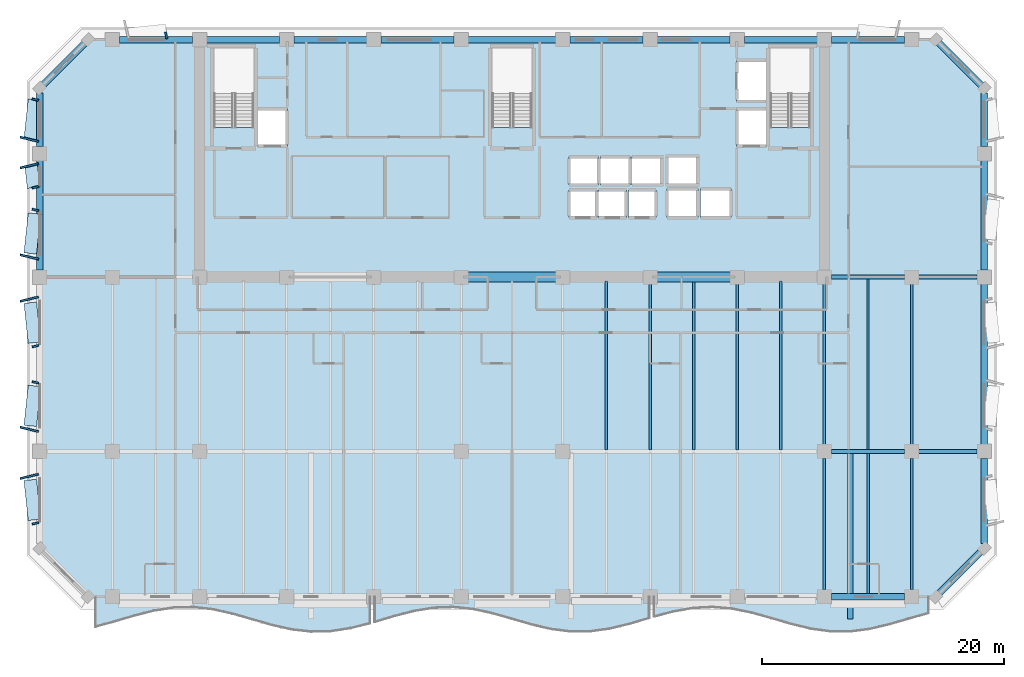
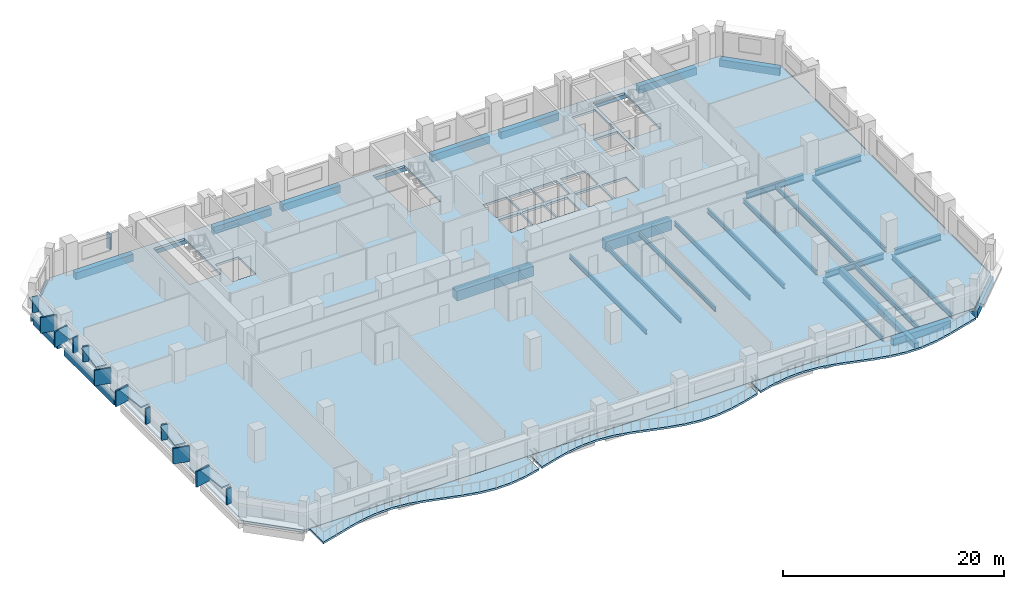
# One storey, part 2 of 14: 37 beams, 19 plates, 4 slabs.
"""IFC4 building model written with IfcOpenShell, lengths in metres."""

from ifc_helpers import new_model, si_unit, direction, frame, origin, origin_2d, place, context, subcontext, project, spatial, polyline, rectangle, i_section, outline, extrude, material, layer, layer_set, material_profile, profile_set, type_object, element, save


model = new_model("IFC4")

# Units and contexts
model_context = context("Model", 3, precision=1e-05, world=origin(), true_north=direction((0.0, 1.0)))
body_context = subcontext(model_context, "Body", "Model", "MODEL_VIEW")
ifc_project = project(units=[si_unit("LENGTHUNIT", "METRE"), si_unit("AREAUNIT", "SQUARE_METRE"), si_unit("VOLUMEUNIT", "CUBIC_METRE"), si_unit("PLANEANGLEUNIT", "RADIAN"), si_unit("MASSUNIT", "GRAM", prefix="KILO")], contexts=[model_context])

# Site, building, storey
site_placement = place(None, origin())
site = spatial("IfcSite", under=ifc_project, at=site_placement, CompositionType="ELEMENT")
building_placement = place(site_placement, origin())
building = spatial("IfcBuilding", under=site, at=building_placement, Name="Kaelvorn Grand Hotel", CompositionType="ELEMENT")
storey_placement = place(building_placement, frame((0.0, 0.0, 216.75)))
storey = spatial("IfcBuildingStorey", under=building, at=storey_placement, Name="L53", CompositionType="ELEMENT", Elevation=216.75)

# Beams
ifc_material_1 = material(Name="Steel S355", Category="steel")
ifc_material_profile_1 = material_profile(ifc_material_1, i_section(OverallWidth=0.300048828125, OverallDepth=0.64990234375, WebThickness=0.01611328125, FlangeThickness=0.031005859375, FilletRadius=0.027099609375, at=origin_2d()), Name="HEB 650")
ifc_profile_set_1 = profile_set([ifc_material_profile_1], Name="Steel S355")
beam_type_1 = type_object("IfcBeamType", Name="BM-G-HEB650-S355", PredefinedType="BEAM", material=ifc_profile_set_1)
beam_1_placement = place(storey_placement, frame((68.385009765625, 15.0, -0.56494140625), z_axis=(1.0, 0.0, 0.0), x_axis=(0.0, 1.0, 0.0)))
element("IfcBeam", 1, at=beam_1_placement, inside=storey, type_object=beam_type_1, Name="L53 Primary Spine Steel Girder G-15 06", PredefinedType="BEAM", context=body_context, shape_type="SweptSolid", body=[
    extrude(i_section(OverallWidth=0.300048828125, OverallDepth=0.64990234375, WebThickness=0.01611328125, FlangeThickness=0.031005859375, FilletRadius=0.027099609375, at=origin_2d()), origin(), (0.0, 0.0, 1.0), 6.030029296875),
])
beam_2_placement = place(storey_placement, frame((75.5849609375, 15.0, -0.56494140625), z_axis=(1.0, 0.0, 0.0), x_axis=(0.0, 1.0, 0.0)))
element("IfcBeam", 2, at=beam_2_placement, inside=storey, type_object=beam_type_1, Name="L53 Primary Spine Steel Girder G-15 07", PredefinedType="BEAM", context=body_context, shape_type="SweptSolid", body=[
    extrude(i_section(OverallWidth=0.300048828125, OverallDepth=0.64990234375, WebThickness=0.01611328125, FlangeThickness=0.031005859375, FilletRadius=0.027099609375, at=origin_2d()), origin(), (0.0, 0.0, 1.0), 4.830078125),
])
beam_3_placement = place(storey_placement, frame((68.385009765625, 29.39990234375, -0.56494140625), z_axis=(1.0, 0.0, 0.0), x_axis=(0.0, 1.0, 0.0)))
element("IfcBeam", 3, at=beam_3_placement, inside=storey, type_object=beam_type_1, Name="L53 East Core Wing Steel Girder G-29E 01", PredefinedType="BEAM", context=body_context, shape_type="SweptSolid", body=[
    extrude(i_section(OverallWidth=0.300048828125, OverallDepth=0.64990234375, WebThickness=0.01611328125, FlangeThickness=0.031005859375, FilletRadius=0.027099609375, at=origin_2d()), origin(), (0.0, 0.0, 1.0), 6.030029296875),
])
beam_4_placement = place(storey_placement, frame((75.5849609375, 29.39990234375, -0.56494140625), z_axis=(1.0, 0.0, 0.0), x_axis=(0.0, 1.0, 0.0)))
element("IfcBeam", 4, at=beam_4_placement, inside=storey, type_object=beam_type_1, Name="L53 East Core Wing Steel Girder G-29E 02", PredefinedType="BEAM", context=body_context, shape_type="SweptSolid", body=[
    extrude(i_section(OverallWidth=0.300048828125, OverallDepth=0.64990234375, WebThickness=0.01611328125, FlangeThickness=0.031005859375, FilletRadius=0.027099609375, at=origin_2d()), origin(), (0.0, 0.0, 1.0), 4.830078125),
])
ifc_material_profile_2 = material_profile(ifc_material_1, i_section(OverallWidth=0.199951171875, OverallDepth=0.5, WebThickness=0.01025390625, FlangeThickness=0.01611328125, FilletRadius=0.02099609375, at=origin_2d()), Name="IPE 500")
ifc_profile_set_2 = profile_set([ifc_material_profile_2], Name="Steel S355")
beam_type_2 = type_object("IfcBeamType", Name="BM-J-IPE500-S355", PredefinedType="JOIST", material=ifc_profile_set_2)
beam_5_placement = place(storey_placement, frame((49.800048828125, 15.135009765625, -0.489990234375), z_axis=(0.0, 1.0, 0.0), x_axis=(-1.0, 0.0, 0.0)))
element("IfcBeam", 5, at=beam_5_placement, inside=storey, type_object=beam_type_2, Name="L53 Composite Floor Joist JM-14", PredefinedType="JOIST", context=body_context, shape_type="SweptSolid", body=[
    extrude(i_section(OverallWidth=0.199951171875, OverallDepth=0.5, WebThickness=0.01025390625, FlangeThickness=0.01611328125, FilletRadius=0.02099609375, at=origin_2d()), origin(), (0.0, 0.0, 1.0), 13.925048828125),
])
beam_6_placement = place(storey_placement, frame((53.39990234375, 15.135009765625, -0.489990234375), z_axis=(0.0, 1.0, 0.0), x_axis=(-1.0, 0.0, 0.0)))
element("IfcBeam", 6, at=beam_6_placement, inside=storey, type_object=beam_type_2, Name="L53 Composite Floor Joist JM-15", PredefinedType="JOIST", context=body_context, shape_type="SweptSolid", body=[
    extrude(i_section(OverallWidth=0.199951171875, OverallDepth=0.5, WebThickness=0.01025390625, FlangeThickness=0.01611328125, FilletRadius=0.02099609375, at=origin_2d()), origin(), (0.0, 0.0, 1.0), 13.679931640625),
])
beam_7_placement = place(storey_placement, frame((57.0, 15.135009765625, -0.489990234375), z_axis=(0.0, 1.0, 0.0), x_axis=(-1.0, 0.0, 0.0)))
element("IfcBeam", 7, at=beam_7_placement, inside=storey, type_object=beam_type_2, Name="L53 Composite Floor Joist JM-16", PredefinedType="JOIST", context=body_context, shape_type="SweptSolid", body=[
    extrude(i_section(OverallWidth=0.199951171875, OverallDepth=0.5, WebThickness=0.01025390625, FlangeThickness=0.01611328125, FilletRadius=0.02099609375, at=origin_2d()), origin(), (0.0, 0.0, 1.0), 13.925048828125),
])
beam_8_placement = place(storey_placement, frame((60.60009765625, 15.135009765625, -0.489990234375), z_axis=(0.0, 1.0, 0.0), x_axis=(-1.0, 0.0, 0.0)))
element("IfcBeam", 8, at=beam_8_placement, inside=storey, type_object=beam_type_2, Name="L53 Composite Floor Joist JM-17", PredefinedType="JOIST", context=body_context, shape_type="SweptSolid", body=[
    extrude(i_section(OverallWidth=0.199951171875, OverallDepth=0.5, WebThickness=0.01025390625, FlangeThickness=0.01611328125, FilletRadius=0.02099609375, at=origin_2d()), origin(), (0.0, 0.0, 1.0), 13.679931640625),
])
beam_9_placement = place(storey_placement, frame((64.199951171875, 15.135009765625, -0.489990234375), z_axis=(0.0, 1.0, 0.0), x_axis=(-1.0, 0.0, 0.0)))
element("IfcBeam", 9, at=beam_9_placement, inside=storey, type_object=beam_type_2, Name="L53 Composite Floor Joist JM-18", PredefinedType="JOIST", context=body_context, shape_type="SweptSolid", body=[
    extrude(i_section(OverallWidth=0.199951171875, OverallDepth=0.5, WebThickness=0.01025390625, FlangeThickness=0.01611328125, FilletRadius=0.02099609375, at=origin_2d()), origin(), (0.0, 0.0, 1.0), 13.925048828125),
])
beam_10_placement = place(storey_placement, frame((67.800048828125, 15.5849609375, -0.489990234375), z_axis=(0.0, 1.0, 0.0), x_axis=(-1.0, 0.0, 0.0)))
element("IfcBeam", 10, at=beam_10_placement, inside=storey, type_object=beam_type_2, Name="L53 Composite Floor Joist JM-19", PredefinedType="JOIST", context=body_context, shape_type="SweptSolid", body=[
    extrude(i_section(OverallWidth=0.199951171875, OverallDepth=0.5, WebThickness=0.01025390625, FlangeThickness=0.01611328125, FilletRadius=0.02099609375, at=origin_2d()), origin(), (0.0, 0.0, 1.0), 13.22998046875),
])
beam_11_placement = place(storey_placement, frame((71.39990234375, 15.135009765625, -0.489990234375), z_axis=(0.0, 1.0, 0.0), x_axis=(-1.0, 0.0, 0.0)))
element("IfcBeam", 11, at=beam_11_placement, inside=storey, type_object=beam_type_2, Name="L53 Composite Floor Joist JM-20", PredefinedType="JOIST", context=body_context, shape_type="SweptSolid", body=[
    extrude(i_section(OverallWidth=0.199951171875, OverallDepth=0.5, WebThickness=0.01025390625, FlangeThickness=0.01611328125, FilletRadius=0.02099609375, at=origin_2d()), origin(), (0.0, 0.0, 1.0), 14.1298828125),
])
beam_12_placement = place(storey_placement, frame((75.0, 15.5849609375, -0.489990234375), z_axis=(0.0, 1.0, 0.0), x_axis=(-1.0, 0.0, 0.0)))
element("IfcBeam", 12, at=beam_12_placement, inside=storey, type_object=beam_type_2, Name="L53 Composite Floor Joist JM-21", PredefinedType="JOIST", context=body_context, shape_type="SweptSolid", body=[
    extrude(i_section(OverallWidth=0.199951171875, OverallDepth=0.5, WebThickness=0.01025390625, FlangeThickness=0.01611328125, FilletRadius=0.02099609375, at=origin_2d()), origin(), (0.0, 0.0, 1.0), 13.22998046875),
])
ifc_material_profile_3 = material_profile(ifc_material_1, i_section(OverallWidth=0.2099609375, OverallDepth=0.550048828125, WebThickness=0.010986328125, FlangeThickness=0.01708984375, FilletRadius=0.02392578125, at=origin_2d()), Name="IPE 550")
ifc_profile_set_3 = profile_set([ifc_material_profile_3], Name="Steel S355")
beam_type_3 = type_object("IfcBeamType", Name="BM-J-IPE550-S355", PredefinedType="JOIST", material=ifc_profile_set_3)
beam_13_placement = place(storey_placement, frame((67.800048828125, 3.5849609375, -0.514892578125), z_axis=(0.0, 1.0, 0.0), x_axis=(-1.0, 0.0, 0.0)))
element("IfcBeam", 13, at=beam_13_placement, inside=storey, type_object=beam_type_3, Name="L53 Composite Floor Joist JS-19", PredefinedType="JOIST", context=body_context, shape_type="SweptSolid", body=[
    extrude(i_section(OverallWidth=0.2099609375, OverallDepth=0.550048828125, WebThickness=0.010986328125, FlangeThickness=0.01708984375, FilletRadius=0.02392578125, at=origin_2d()), origin(), (0.0, 0.0, 1.0), 10.830078125),
])
beam_14_placement = place(storey_placement, frame((71.39990234375, 3.260009765625, -0.514892578125), z_axis=(0.0, 1.0, 0.0), x_axis=(-1.0, 0.0, 0.0)))
element("IfcBeam", 14, at=beam_14_placement, inside=storey, type_object=beam_type_3, Name="L53 Composite Floor Joist JS-20", PredefinedType="JOIST", context=body_context, shape_type="SweptSolid", body=[
    extrude(i_section(OverallWidth=0.2099609375, OverallDepth=0.550048828125, WebThickness=0.010986328125, FlangeThickness=0.01708984375, FilletRadius=0.02392578125, at=origin_2d()), origin(), (0.0, 0.0, 1.0), 11.60498046875),
])
beam_15_placement = place(storey_placement, frame((75.0, 3.5849609375, -0.514892578125), z_axis=(0.0, 1.0, 0.0), x_axis=(-1.0, 0.0, 0.0)))
element("IfcBeam", 15, at=beam_15_placement, inside=storey, type_object=beam_type_3, Name="L53 Composite Floor Joist JS-21", PredefinedType="JOIST", context=body_context, shape_type="SweptSolid", body=[
    extrude(i_section(OverallWidth=0.2099609375, OverallDepth=0.550048828125, WebThickness=0.010986328125, FlangeThickness=0.01708984375, FilletRadius=0.02392578125, at=origin_2d()), origin(), (0.0, 0.0, 1.0), 10.830078125),
])
ifc_material_2 = material(Name="Concrete C60/75", Category="concrete")
ifc_material_profile_4 = material_profile(ifc_material_2, rectangle(XDim=0.800048828125, YDim=1.10009765625, at=origin_2d()), Name="RC LINTEL 800x1100")
ifc_profile_set_4 = profile_set([ifc_material_profile_4], Name="Concrete C60/75")
beam_type_4 = type_object("IfcBeamType", Name="BM-LIN-800x1100-C60", PredefinedType="LINTEL", material=ifc_profile_set_4)
beam_16_placement = place(storey_placement, frame((37.97998046875, 29.39990234375, -0.7900390625), z_axis=(1.0, 0.0, 0.0), x_axis=(0.0, 1.0, 0.0)))
element("IfcBeam", 16, at=beam_16_placement, inside=storey, type_object=beam_type_4, Name="L53 Rear-Core Coupling Lintel Beam CB1-02", PredefinedType="LINTEL", context=body_context, shape_type="SweptSolid", body=[
    extrude(rectangle(XDim=0.800048828125, YDim=1.10009765625, at=origin_2d()), origin(), (0.0, 0.0, 1.0), 8.0400390625),
])
beam_17_placement = place(storey_placement, frame((53.580078125, 29.39990234375, -0.7900390625), z_axis=(1.0, 0.0, 0.0), x_axis=(0.0, 1.0, 0.0)))
element("IfcBeam", 17, at=beam_17_placement, inside=storey, type_object=beam_type_4, Name="L53 Rear-Core Coupling Lintel Beam CB1-03", PredefinedType="LINTEL", context=body_context, shape_type="SweptSolid", body=[
    extrude(rectangle(XDim=0.800048828125, YDim=1.10009765625, at=origin_2d()), origin(), (0.0, 0.0, 1.0), 6.83984375),
])
ifc_material_3 = material(Name="Concrete C40/50", Category="concrete")
ifc_material_profile_5 = material_profile(ifc_material_3, rectangle(XDim=0.449951171875, YDim=0.64990234375, at=origin_2d()), Name="RC RIB 450x650")
ifc_profile_set_5 = profile_set([ifc_material_profile_5], Name="Concrete C40/50")
beam_type_5 = type_object("IfcBeamType", Name="BM-RIB-450x650-C40", PredefinedType="SPANDREL", material=ifc_profile_set_5)
beam_18_placement = place(storey_placement, frame((69.923828125, 1.14990234375, -0.544921875), z_axis=(0.0, 1.0, 0.0), x_axis=(-1.0, 0.0, 0.0)))
element("IfcBeam", 18, at=beam_18_placement, inside=storey, type_object=beam_type_5, Name="L53 Cantilevered Balcony Back-Span Rib RB1-3", PredefinedType="SPANDREL", context=body_context, shape_type="SweptSolid", body=[
    extrude(rectangle(XDim=0.449951171875, YDim=0.64990234375, at=origin_2d()), origin(), (0.0, 0.0, 1.0), 13.715087890625),
])
ifc_material_4 = material(Name="Concrete C50/60", Category="concrete")
ifc_material_profile_6 = material_profile(ifc_material_4, rectangle(XDim=0.550048828125, YDim=0.800048828125, at=origin_2d()), Name="RC SPANDREL 550x800")
ifc_profile_set_6 = profile_set([ifc_material_profile_6], Name="Concrete C50/60")
beam_type_6 = type_object("IfcBeamType", Name="BM-SP-550x800-C50", PredefinedType="SPANDREL", material=ifc_profile_set_6)
for number, where, z_axis, x_axis, name in (
    (19, (68.385009765625, 3.0, -0.639892578125), (1.0, 0.0, 0.0), (0.0, 1.0, 0.0), "L53 South Perimeter Spandrel 10"),
    (20, (9.5849609375, 49.0, -0.639892578125), (1.0, 0.0, 0.0), (0.0, 1.0, 0.0), "L53 North Perimeter Spandrel 02"),
    (21, (16.784912109375, 49.0, -0.639892578125), (1.0, 0.0, 0.0), (0.0, 1.0, 0.0), "L53 North Perimeter Spandrel 03"),
):
    element("IfcBeam", number, at=place(storey_placement, frame(where, z_axis=z_axis, x_axis=x_axis)), inside=storey, type_object=beam_type_6, Name=name, PredefinedType="SPANDREL", context=body_context, shape_type="SweptSolid", body=[
        extrude(rectangle(XDim=0.550048828125, YDim=0.800048828125, at=origin_2d()), origin(), (0.0, 0.0, 1.0), 6.030029296875),
    ])
beam_19_placement = place(storey_placement, frame((23.985107421875, 49.0, -0.639892578125), z_axis=(1.0, 0.0, 0.0), x_axis=(0.0, 1.0, 0.0)))
element("IfcBeam", 22, at=beam_19_placement, inside=storey, type_object=beam_type_6, Name="L53 North Perimeter Spandrel 04", PredefinedType="SPANDREL", context=body_context, shape_type="SweptSolid", body=[
    extrude(rectangle(XDim=0.550048828125, YDim=0.800048828125, at=origin_2d()), origin(), (0.0, 0.0, 1.0), 6.02978515625),
])
beam_20_placement = place(storey_placement, frame((31.18505859375, 49.0, -0.639892578125), z_axis=(1.0, 0.0, 0.0), x_axis=(0.0, 1.0, 0.0)))
element("IfcBeam", 23, at=beam_20_placement, inside=storey, type_object=beam_type_6, Name="L53 North Perimeter Spandrel 05", PredefinedType="SPANDREL", context=body_context, shape_type="SweptSolid", body=[
    extrude(rectangle(XDim=0.550048828125, YDim=0.800048828125, at=origin_2d()), origin(), (0.0, 0.0, 1.0), 6.030029296875),
])
beam_21_placement = place(storey_placement, frame((38.385009765625, 49.0, -0.639892578125), z_axis=(1.0, 0.0, 0.0), x_axis=(0.0, 1.0, 0.0)))
element("IfcBeam", 24, at=beam_21_placement, inside=storey, type_object=beam_type_6, Name="L53 North Perimeter Spandrel 06", PredefinedType="SPANDREL", context=body_context, shape_type="SweptSolid", body=[
    extrude(rectangle(XDim=0.550048828125, YDim=0.800048828125, at=origin_2d()), origin(), (0.0, 0.0, 1.0), 7.22998046875),
])
beam_22_placement = place(storey_placement, frame((46.784912109375, 49.0, -0.639892578125), z_axis=(1.0, 0.0, 0.0), x_axis=(0.0, 1.0, 0.0)))
element("IfcBeam", 25, at=beam_22_placement, inside=storey, type_object=beam_type_6, Name="L53 North Perimeter Spandrel 07", PredefinedType="SPANDREL", context=body_context, shape_type="SweptSolid", body=[
    extrude(rectangle(XDim=0.550048828125, YDim=0.800048828125, at=origin_2d()), origin(), (0.0, 0.0, 1.0), 6.030029296875),
])
beam_23_placement = place(storey_placement, frame((53.985107421875, 49.0, -0.639892578125), z_axis=(1.0, 0.0, 0.0), x_axis=(0.0, 1.0, 0.0)))
element("IfcBeam", 26, at=beam_23_placement, inside=storey, type_object=beam_type_6, Name="L53 North Perimeter Spandrel 08", PredefinedType="SPANDREL", context=body_context, shape_type="SweptSolid", body=[
    extrude(rectangle(XDim=0.550048828125, YDim=0.800048828125, at=origin_2d()), origin(), (0.0, 0.0, 1.0), 6.02978515625),
])
for number, where, z_axis, x_axis, name in (
    (27, (61.18505859375, 49.0, -0.639892578125), (1.0, 0.0, 0.0), (0.0, 1.0, 0.0), "L53 North Perimeter Spandrel 09"),
    (28, (68.385009765625, 49.0, -0.639892578125), (1.0, 0.0, 0.0), (0.0, 1.0, 0.0), "L53 North Perimeter Spandrel 10"),
):
    element("IfcBeam", number, at=place(storey_placement, frame(where, z_axis=z_axis, x_axis=x_axis)), inside=storey, type_object=beam_type_6, Name=name, PredefinedType="SPANDREL", context=body_context, shape_type="SweptSolid", body=[
        extrude(rectangle(XDim=0.550048828125, YDim=0.800048828125, at=origin_2d()), origin(), (0.0, 0.0, 1.0), 6.030029296875),
    ])
beam_24_placement = place(storey_placement, frame((3.0, 29.985107421875, -0.639892578125), z_axis=(0.0, 1.0, 0.0), x_axis=(-1.0, 0.0, 0.0)))
element("IfcBeam", 29, at=beam_24_placement, inside=storey, type_object=beam_type_6, Name="L53 West Perimeter Spandrel 03", PredefinedType="SPANDREL", context=body_context, shape_type="SweptSolid", body=[
    extrude(rectangle(XDim=0.550048828125, YDim=0.800048828125, at=origin_2d()), origin(), (0.0, 0.0, 1.0), 9.02978515625),
])
beam_25_placement = place(storey_placement, frame((3.0, 40.18505859375, -0.639892578125), z_axis=(0.0, 1.0, 0.0), x_axis=(-1.0, 0.0, 0.0)))
element("IfcBeam", 30, at=beam_25_placement, inside=storey, type_object=beam_type_6, Name="L53 West Perimeter Spandrel 04", PredefinedType="SPANDREL", context=body_context, shape_type="SweptSolid", body=[
    extrude(rectangle(XDim=0.550048828125, YDim=0.800048828125, at=origin_2d()), origin(), (0.0, 0.0, 1.0), 4.409912109375),
])
beam_26_placement = place(storey_placement, frame((81.0, 7.405029296875, -0.639892578125), z_axis=(0.0, 1.0, 0.0), x_axis=(-1.0, 0.0, 0.0)))
element("IfcBeam", 31, at=beam_26_placement, inside=storey, type_object=beam_type_6, Name="L53 East Perimeter Spandrel 01", PredefinedType="SPANDREL", context=body_context, shape_type="SweptSolid", body=[
    extrude(rectangle(XDim=0.550048828125, YDim=0.800048828125, at=origin_2d()), origin(), (0.0, 0.0, 1.0), 7.010009765625),
])
beam_27_placement = place(storey_placement, frame((81.0, 15.5849609375, -0.639892578125), z_axis=(0.0, 1.0, 0.0), x_axis=(-1.0, 0.0, 0.0)))
element("IfcBeam", 32, at=beam_27_placement, inside=storey, type_object=beam_type_6, Name="L53 East Perimeter Spandrel 02", PredefinedType="SPANDREL", context=body_context, shape_type="SweptSolid", body=[
    extrude(rectangle(XDim=0.550048828125, YDim=0.800048828125, at=origin_2d()), origin(), (0.0, 0.0, 1.0), 13.22998046875),
])
beam_28_placement = place(storey_placement, frame((81.0, 29.985107421875, -0.639892578125), z_axis=(0.0, 1.0, 0.0), x_axis=(-1.0, 0.0, 0.0)))
element("IfcBeam", 33, at=beam_28_placement, inside=storey, type_object=beam_type_6, Name="L53 East Perimeter Spandrel 03", PredefinedType="SPANDREL", context=body_context, shape_type="SweptSolid", body=[
    extrude(rectangle(XDim=0.550048828125, YDim=0.800048828125, at=origin_2d()), origin(), (0.0, 0.0, 1.0), 9.02978515625),
])
beam_29_placement = place(storey_placement, frame((81.0, 40.18505859375, -0.639892578125), z_axis=(0.0, 1.0, 0.0), x_axis=(-1.0, 0.0, 0.0)))
element("IfcBeam", 34, at=beam_29_placement, inside=storey, type_object=beam_type_6, Name="L53 East Perimeter Spandrel 04", PredefinedType="SPANDREL", context=body_context, shape_type="SweptSolid", body=[
    extrude(rectangle(XDim=0.550048828125, YDim=0.800048828125, at=origin_2d()), origin(), (0.0, 0.0, 1.0), 4.409912109375),
])
for number, where, z_axis, x_axis, name in (
    (35, (77.0, 3.0, -0.639892578125), (0.707106781187, 0.707106781187, 0.0), (-0.707106781187, 0.707106781187, 0.0), "L53 Chamfer Spandrel Beam 1"),
    (36, (81.0, 45.0, -0.639892578125), (-0.707106781187, 0.707106781187, 0.0), (-0.707106781187, -0.707106781187, 0.0), "L53 Chamfer Spandrel Beam 2"),
    (37, (7.0, 49.0, -0.639892578125), (-0.707106781187, -0.707106781187, 0.0), (0.707106781187, -0.707106781187, 0.0), "L53 Chamfer Spandrel Beam 3"),
):
    element("IfcBeam", number, at=place(storey_placement, frame(where, z_axis=z_axis, x_axis=x_axis)), inside=storey, type_object=beam_type_6, Name=name, PredefinedType="SPANDREL", context=body_context, shape_type="SweptSolid", body=[
        extrude(rectangle(XDim=0.550048828125, YDim=0.800048828125, at=origin_2d()), origin(), (0.0, 0.0, 1.0), 5.65673828125),
    ])

# Plates
ifc_material_5 = material(Name="Precast concrete C45/55", Category="concrete")
ifc_layer_1 = layer(ifc_material_5, 0.159912109375)
ifc_layer_set_1 = layer_set([ifc_layer_1], Name="Precast concrete C45/55")
plate_type_1 = type_object("IfcPlateType", Name="PL-FRAME-DEEP-1550", PredefinedType="USERDEFINED", material=ifc_layer_set_1)
for number, where, z_axis, x_axis, name in (
    (38, (2.14501953125, 12.93994140625, 0.81494140625), (0.0, 0.0, 1.0), (-0.233445363856, 0.972369920398, 0.0), "L53 Tilted Precast Window Frame Fin R-W01"),
    (39, (2.14501953125, 16.824951171875, 0.81494140625), (0.0, 0.0, 1.0), (0.233445363856, 0.972369920398, 0.0), "L53 Tilted Precast Window Frame Fin L-W02"),
    (40, (2.14501953125, 27.574951171875, 0.81494140625), (0.0, 0.0, 1.0), (-0.233445363856, 0.972369920398, 0.0), "L53 Tilted Precast Window Frame Fin R-W03"),
    (41, (2.14501953125, 31.06005859375, 0.81494140625), (0.0, 0.0, 1.0), (0.233445363856, 0.972369920398, 0.0), "L53 Tilted Precast Window Frame Fin L-W04"),
    (42, (2.14501953125, 38.590087890625, 0.68994140625), (0.0, 0.0, 1.0), (-0.233445363856, 0.972369920398, 0.0), "L53 Tilted Precast Window Frame Fin R-W05"),
    (43, (2.14501953125, 40.77490234375, 0.740234375), (0.0, 0.0, 1.0), (0.233445363856, 0.972369920398, 0.0), "L53 Tilted Precast Window Frame Fin L-W06"),
):
    element("IfcPlate", number, at=place(storey_placement, frame(where, z_axis=z_axis, x_axis=x_axis)), inside=storey, type_object=plate_type_1, Name=name, ObjectType="FLANGE_PLATE", PredefinedType="USERDEFINED", context=body_context, shape_type="SweptSolid", body=[
        extrude(rectangle(XDim=0.159912109375, YDim=1.550048828125, at=origin_2d()), origin(), (0.0, 0.0, 1.0), 1.719970703125),
    ])
ifc_layer_2 = layer(ifc_material_5, 0.159912109375)
ifc_layer_set_2 = layer_set([ifc_layer_2], Name="Precast concrete C45/55")
plate_type_2 = type_object("IfcPlateType", Name="PL-FRAME-HEAD-1050", PredefinedType="USERDEFINED", material=ifc_layer_set_2)
for number, where, z_axis, x_axis, name in (
    (44, (2.39501953125, 11.0, 2.5), (0.0, 0.0, 1.0), (-0.105830199459, 0.994384215926, 0.0), "L53 Precast Window Frame Head Hood H-W01"),
    (45, (2.39501953125, 18.764892578125, 2.5), (0.0, 0.0, 1.0), (0.105830199459, 0.994384215926, 0.0), "L53 Precast Window Frame Head Hood H-W02"),
    (46, (2.39501953125, 25.635009765625, 2.5), (0.0, 0.0, 1.0), (-0.105830199459, 0.994384215926, 0.0), "L53 Precast Window Frame Head Hood H-W03"),
    (47, (2.39501953125, 33.0, 2.5), (0.0, 0.0, 1.0), (0.105830199459, 0.994384215926, 0.0), "L53 Precast Window Frame Head Hood H-W04"),
):
    element("IfcPlate", number, at=place(storey_placement, frame(where, z_axis=z_axis, x_axis=x_axis)), inside=storey, type_object=plate_type_2, Name=name, ObjectType="FLANGE_PLATE", PredefinedType="USERDEFINED", context=body_context, shape_type="SweptSolid", body=[
        extrude(rectangle(XDim=3.320068359375, YDim=1.050048828125, at=origin_2d()), origin(), (0.0, 0.0, 1.0), 0.159912109375),
    ])
plate_1_placement = place(storey_placement, frame((2.39501953125, 37.699951171875, 2.25), z_axis=(0.0, 0.0, 1.0), x_axis=(-0.105830199459, 0.994384215926, 0.0)))
element("IfcPlate", 48, at=plate_1_placement, inside=storey, type_object=plate_type_2, Name="L53 Precast Window Frame Head Hood H-W05", ObjectType="FLANGE_PLATE", PredefinedType="USERDEFINED", context=body_context, shape_type="SweptSolid", body=[
    extrude(rectangle(XDim=1.860107421875, YDim=1.050048828125, at=origin_2d()), origin(), (0.0, 0.0, 1.0), 0.159912109375),
])
plate_2_placement = place(storey_placement, frame((2.39501953125, 42.4150390625, 2.35009765625), z_axis=(0.0, 0.0, 1.0), x_axis=(0.105830199459, 0.994384215926, 0.0)))
element("IfcPlate", 49, at=plate_2_placement, inside=storey, type_object=plate_type_2, Name="L53 Precast Window Frame Head Hood H-W06", ObjectType="FLANGE_PLATE", PredefinedType="USERDEFINED", context=body_context, shape_type="SweptSolid", body=[
    extrude(rectangle(XDim=3.320068359375, YDim=1.050048828125, at=origin_2d()), origin(), (0.0, 0.0, 1.0), 0.159912109375),
])
ifc_layer_3 = layer(ifc_material_5, 0.159912109375)
ifc_layer_set_3 = layer_set([ifc_layer_3], Name="Precast concrete C45/55")
plate_type_3 = type_object("IfcPlateType", Name="PL-FRAME-SHAL-550", PredefinedType="USERDEFINED", material=ifc_layer_set_3)
for number, where, z_axis, x_axis, name in (
    (50, (2.64501953125, 9.06005859375, 0.81494140625), (0.0, 0.0, 1.0), (-0.233445363856, 0.972369920398, 0.0), "L53 Tilted Precast Window Frame Fin L-W01"),
    (51, (2.64501953125, 20.705078125, 0.81494140625), (0.0, 0.0, 1.0), (0.233445363856, 0.972369920398, 0.0), "L53 Tilted Precast Window Frame Fin R-W02"),
    (52, (2.64501953125, 23.695068359375, 0.81494140625), (0.0, 0.0, 1.0), (-0.233445363856, 0.972369920398, 0.0), "L53 Tilted Precast Window Frame Fin L-W03"),
    (53, (2.64501953125, 34.93994140625, 0.81494140625), (0.0, 0.0, 1.0), (0.233445363856, 0.972369920398, 0.0), "L53 Tilted Precast Window Frame Fin R-W04"),
    (54, (2.64501953125, 36.81005859375, 0.68994140625), (0.0, 0.0, 1.0), (-0.233445363856, 0.972369920398, 0.0), "L53 Tilted Precast Window Frame Fin L-W05"),
    (55, (2.64501953125, 44.054931640625, 0.740234375), (0.0, 0.0, 1.0), (0.233445363856, 0.972369920398, 0.0), "L53 Tilted Precast Window Frame Fin R-W06"),
    (56, (13.43994140625, 49.35498046875, 0.740234375), (0.0, 0.0, 1.0), (0.972369920398, 0.233445363856, 0.0), "L53 Tilted Precast Window Frame Fin R-N01"),
):
    element("IfcPlate", number, at=place(storey_placement, frame(where, z_axis=z_axis, x_axis=x_axis)), inside=storey, type_object=plate_type_3, Name=name, ObjectType="FLANGE_PLATE", PredefinedType="USERDEFINED", context=body_context, shape_type="SweptSolid", body=[
        extrude(rectangle(XDim=0.159912109375, YDim=0.550048828125, at=origin_2d()), origin(), (0.0, 0.0, 1.0), 1.719970703125),
    ])

# Slabs
ifc_layer_4 = layer(ifc_material_3, 0.219970703125)
ifc_layer_set_4 = layer_set([ifc_layer_4], Name="Concrete C40/50")
slab_type_1 = type_object("IfcSlabType", Name="SLB-BALC-220-C40", PredefinedType="FLOOR", material=ifc_layer_set_4)
slab_1_placement = place(storey_placement, frame((0.0, 0.0, -0.219970703125)))
element("IfcSlab", 57, at=slab_1_placement, inside=storey, type_object=slab_type_1, Name="L53 Scalloped Wave Balcony Slab 1", PredefinedType="FLOOR", context=body_context, shape_type="SweptSolid", body=[
    extrude(outline(polyline([(7.60009765625, 0.5224609375), (9.218994140625, 0.96435546875), (10.838134765625, 1.441162109375), (12.45703125, 1.84912109375), (14.076171875, 2.099365234375), (15.6953125, 2.1376953125), (17.314208984375, 1.955322265625), (18.933349609375, 1.592041015625), (20.552490234375, 1.127197265625), (22.17138671875, 0.661865234375), (23.79052734375, 0.29736328125), (25.409423828125, 0.113037109375), (27.028564453125, 0.149169921875), (28.647705078125, 0.397705078125), (30.2666015625, 0.804443359375), (30.2666015625, 3.0), (7.60009765625, 3.0), (7.60009765625, 0.5224609375)])), origin(), (0.0, 0.0, 1.0), 0.219970703125),
])
slab_2_placement = place(storey_placement, frame((0.0, 0.0, -0.219970703125)))
element("IfcSlab", 58, at=slab_2_placement, inside=storey, type_object=slab_type_1, Name="L53 Scalloped Wave Balcony Slab 2", PredefinedType="FLOOR", context=body_context, shape_type="SweptSolid", body=[
    extrude(outline(polyline([(30.666748046875, 0.919677734375), (32.28564453125, 1.397705078125), (33.90478515625, 1.81640625), (35.52392578125, 2.08447265625), (37.142822265625, 2.1435546875), (38.761962890625, 1.98095703125), (40.380859375, 1.632080078125), (42.0, 1.172607421875), (43.619140625, 0.702880859375), (45.238037109375, 0.324951171875), (46.857177734375, 0.121337890625), (48.47607421875, 0.13623046875), (50.09521484375, 0.3662109375), (51.71435546875, 0.76171875), (53.333251953125, 1.236083984375), (53.333251953125, 3.0), (30.666748046875, 3.0), (30.666748046875, 0.919677734375)])), origin(), (0.0, 0.0, 1.0), 0.219970703125),
])
slab_3_placement = place(storey_placement, frame((0.0, 0.0, -0.219970703125)))
element("IfcSlab", 59, at=slab_3_placement, inside=storey, type_object=slab_type_1, Name="L53 Scalloped Wave Balcony Slab 3", PredefinedType="FLOOR", context=body_context, shape_type="SweptSolid", body=[
    extrude(outline(polyline([(53.7333984375, 1.353759765625), (55.352294921875, 1.7822265625), (56.971435546875, 2.067626953125), (58.590576171875, 2.147705078125), (60.20947265625, 2.005126953125), (61.82861328125, 1.671142578125), (63.447509765625, 1.218017578125), (65.066650390625, 0.74462890625), (66.685791015625, 0.354248046875), (68.3046875, 0.131591796875), (69.923828125, 0.125244140625), (71.54296875, 0.33642578125), (73.161865234375, 0.719482421875), (74.781005859375, 1.19091796875), (76.39990234375, 1.647705078125), (76.39990234375, 3.0), (53.7333984375, 3.0), (53.7333984375, 1.353759765625)])), origin(), (0.0, 0.0, 1.0), 0.219970703125),
])
ifc_layer_5 = layer(ifc_material_3, 0.239990234375)
ifc_layer_set_5 = layer_set([ifc_layer_5], Name="Concrete C40/50")
slab_type_2 = type_object("IfcSlabType", Name="SLB-FLR-240-C40", PredefinedType="FLOOR", material=ifc_layer_set_5)
slab_4_placement = place(storey_placement, frame((0.0, 0.0, -0.239990234375)))
element("IfcSlab", 60, at=slab_4_placement, inside=storey, type_object=slab_type_2, Name="L53 Indoor Suspended Floor Slab", PredefinedType="FLOOR", context=body_context, shape_type="SweptSolid", body=[
    extrude(outline(polyline([(7.0, 3.0), (77.0, 3.0), (81.0, 7.0), (81.0, 45.0), (77.0, 49.0), (7.0, 49.0), (3.0, 45.0), (3.0, 7.0), (7.0, 3.0)]), holes=[polyline([(17.39990234375, 41.760009765625), (17.39990234375, 48.300048828125), (20.679931640625, 48.300048828125), (20.679931640625, 41.760009765625), (17.39990234375, 41.760009765625)]), polyline([(40.360107421875, 41.760009765625), (40.360107421875, 48.300048828125), (43.639892578125, 48.300048828125), (43.639892578125, 41.760009765625), (40.360107421875, 41.760009765625)]), polyline([(63.320068359375, 41.760009765625), (63.320068359375, 48.300048828125), (66.60009765625, 48.300048828125), (66.60009765625, 41.760009765625), (63.320068359375, 41.760009765625)]), polyline([(46.699951171875, 34.300048828125), (46.699951171875, 36.60009765625), (49.0, 36.60009765625), (49.0, 34.300048828125), (46.699951171875, 34.300048828125)]), polyline([(49.14990234375, 34.300048828125), (49.14990234375, 36.60009765625), (51.449951171875, 36.60009765625), (51.449951171875, 34.300048828125), (49.14990234375, 34.300048828125)]), polyline([(51.60009765625, 34.300048828125), (51.60009765625, 36.60009765625), (53.89990234375, 36.60009765625), (53.89990234375, 34.300048828125), (51.60009765625, 34.300048828125)]), polyline([(46.699951171875, 37.0), (46.699951171875, 39.35009765625), (49.14990234375, 39.35009765625), (49.14990234375, 37.0), (46.699951171875, 37.0)]), polyline([(49.300048828125, 37.0), (49.300048828125, 39.35009765625), (51.75, 39.35009765625), (51.75, 37.0), (49.300048828125, 37.0)]), polyline([(51.89990234375, 37.0), (51.89990234375, 39.35009765625), (54.35009765625, 39.35009765625), (54.35009765625, 37.0), (51.89990234375, 37.0)]), polyline([(54.800048828125, 34.300048828125), (54.800048828125, 36.699951171875), (57.35009765625, 36.699951171875), (57.35009765625, 34.300048828125), (54.800048828125, 34.300048828125)]), polyline([(57.550048828125, 34.300048828125), (57.550048828125, 36.699951171875), (60.10009765625, 36.699951171875), (60.10009765625, 34.300048828125), (57.550048828125, 34.300048828125)]), polyline([(54.800048828125, 37.0), (54.800048828125, 39.39990234375), (57.35009765625, 39.39990234375), (57.35009765625, 37.0), (54.800048828125, 37.0)]), polyline([(21.0, 40.199951171875), (21.0, 43.300048828125), (23.449951171875, 43.300048828125), (23.449951171875, 40.199951171875), (21.0, 40.199951171875)]), polyline([(60.550048828125, 40.199951171875), (60.550048828125, 43.300048828125), (63.0, 43.300048828125), (63.0, 40.199951171875), (60.550048828125, 40.199951171875)]), polyline([(60.550048828125, 43.89990234375), (60.550048828125, 47.300048828125), (63.0, 47.300048828125), (63.0, 43.89990234375), (60.550048828125, 43.89990234375)])]), origin(), (0.0, 0.0, 1.0), 0.239990234375),
])

save(model, "model.ifc")
